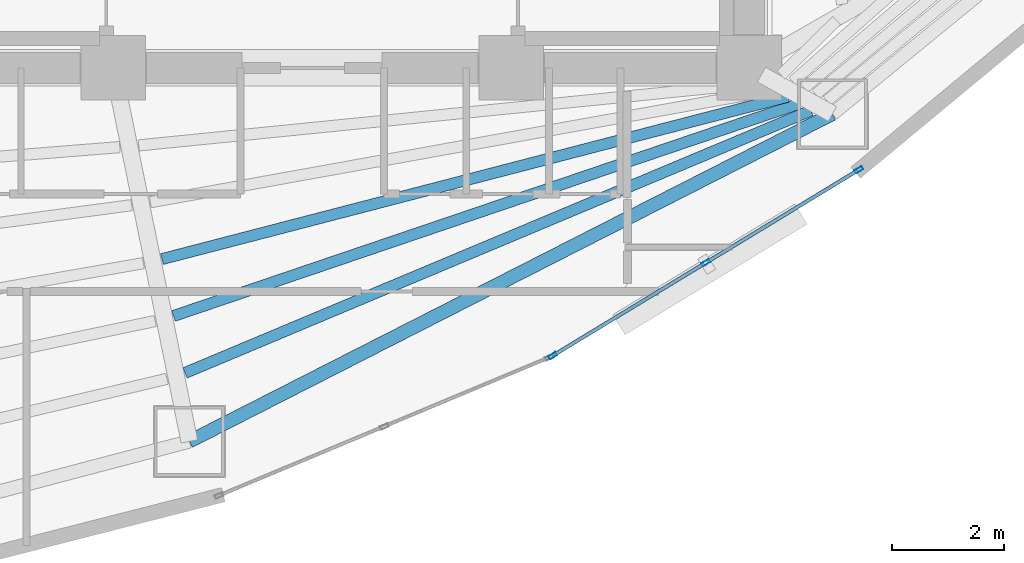
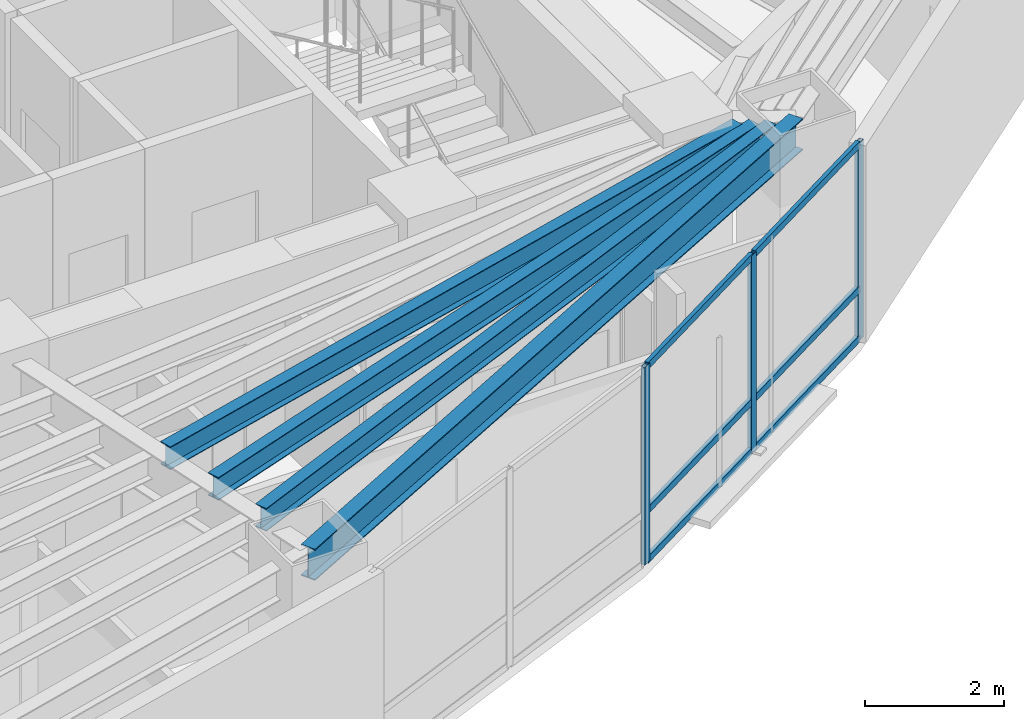
# One storey, part 5 of 18: 9 members, 4 beams, 1 element without a shape of its own.
"""IFC4 building model written with IfcOpenShell, lengths in metres."""

from ifc_helpers import new_model, si_unit, direction, frame, origin, origin_2d, place, context, subcontext, project, spatial, hollow_rectangle, i_section, extrude, material, layer, layer_set, material_profile, profile_set, type_object, element, aggregate, save


model = new_model("IFC4")

# Units and contexts
model_context = context("Model", 3, precision=1e-05, world=origin(), true_north=direction((0.0, 1.0)))
body_context = subcontext(model_context, "Body", "Model", "MODEL_VIEW")
ifc_project = project(units=[si_unit("LENGTHUNIT", "METRE"), si_unit("AREAUNIT", "SQUARE_METRE"), si_unit("VOLUMEUNIT", "CUBIC_METRE"), si_unit("PLANEANGLEUNIT", "RADIAN"), si_unit("MASSUNIT", "GRAM", prefix="KILO")], contexts=[model_context])

# Site, building, storey
site_placement = place(None, origin())
site = spatial("IfcSite", under=ifc_project, at=site_placement, CompositionType="ELEMENT")
building_placement = place(site_placement, origin())
building = spatial("IfcBuilding", under=site, at=building_placement, Name="Menara Vayukalpa", CompositionType="ELEMENT")
storey_placement = place(building_placement, frame((0.0, 0.0, 126.300048828125)))
storey = spatial("IfcBuildingStorey", under=building, at=storey_placement, Name="L31", CompositionType="ELEMENT", Elevation=126.300048828125)

# Beams
ifc_material_1 = material(Name="Steel S355", Category="steel")
ifc_material_profile_1 = material_profile(ifc_material_1, i_section(OverallWidth=0.199951171875, OverallDepth=0.39990234375, WebThickness=0.008056640625, FlangeThickness=0.012939453125, at=origin_2d()), Name="WF 400x200x8x13")
ifc_profile_set_1 = profile_set([ifc_material_profile_1], Name="Steel S355")
beam_type_1 = type_object("IfcBeamType", Name="BM-SJ2", PredefinedType="JOIST", material=ifc_profile_set_1)
beam_1_placement = place(storey_placement, frame((22.918701171875, 13.78662109375, 3.27001953125), z_axis=(0.967921665574, 0.251252162802, 0.0), x_axis=(-0.251252162802, 0.967921665574, 0.0)))
element("IfcBeam", 1, at=beam_1_placement, inside=storey, type_object=beam_type_1, Name="L31 Secondary Floor Joist SJ08-3", PredefinedType="JOIST", context=body_context, shape_type="SweptSolid", body=[
    extrude(i_section(OverallWidth=0.199951171875, OverallDepth=0.39990234375, WebThickness=0.008056640625, FlangeThickness=0.012939453125, at=origin_2d()), origin(), (0.0, 0.0, 1.0), 11.539794921875),
])
beam_2_placement = place(storey_placement, frame((23.12451171875, 12.77099609375, 3.27001953125), z_axis=(0.94694934653, 0.321382848183, 0.0), x_axis=(-0.321382848183, 0.94694934653, 0.0)))
element("IfcBeam", 2, at=beam_2_placement, inside=storey, type_object=beam_type_1, Name="L31 Secondary Floor Joist SJ08-4", PredefinedType="JOIST", context=body_context, shape_type="SweptSolid", body=[
    extrude(i_section(OverallWidth=0.199951171875, OverallDepth=0.39990234375, WebThickness=0.008056640625, FlangeThickness=0.012939453125, at=origin_2d()), origin(), (0.0, 0.0, 1.0), 11.7958984375),
])
beam_3_placement = place(storey_placement, frame((23.32958984375, 11.75439453125, 3.27001953125), z_axis=(0.922216637658, 0.386673600375, 0.0), x_axis=(-0.386673600375, 0.922216637658, 0.0)))
element("IfcBeam", 3, at=beam_3_placement, inside=storey, type_object=beam_type_1, Name="L31 Secondary Floor Joist SJ08-5", PredefinedType="JOIST", context=body_context, shape_type="SweptSolid", body=[
    extrude(i_section(OverallWidth=0.199951171875, OverallDepth=0.39990234375, WebThickness=0.008056640625, FlangeThickness=0.012939453125, at=origin_2d()), origin(), (0.0, 0.0, 1.0), 12.114501953125),
])
ifc_material_2 = material(Name="Steel S355", Category="steel")
ifc_material_profile_2 = material_profile(ifc_material_2, i_section(OverallWidth=0.239990234375, OverallDepth=0.550048828125, WebThickness=0.010986328125, FlangeThickness=0.01904296875, at=origin_2d()), Name="WF 550x240x11x19")
ifc_profile_set_2 = profile_set([ifc_material_profile_2], Name="Steel S355")
beam_type_2 = type_object("IfcBeamType", Name="BM-SP2", PredefinedType="SPANDREL", material=ifc_profile_set_2)
beam_4_placement = place(storey_placement, frame((23.408203125, 10.53271484375, 3.195068359375), z_axis=(0.891097345221, 0.453812209333, 0.0), x_axis=(-0.453812209333, 0.891097345221, 0.0)))
element("IfcBeam", 4, at=beam_4_placement, inside=storey, type_object=beam_type_2, Name="L31 Perimeter Spandrel Beam SP08", PredefinedType="SPANDREL", context=body_context, shape_type="SweptSolid", body=[
    extrude(i_section(OverallWidth=0.239990234375, OverallDepth=0.550048828125, WebThickness=0.010986328125, FlangeThickness=0.01904296875, at=origin_2d()), origin(), (0.0, 0.0, 1.0), 12.88134765625),
])

# Curtain wall, members
ifc_material_3 = material(Name="Anodised Terracotta Aluminium Alloy 6063-T6", Category="masonry")
ifc_layer = layer(ifc_material_3, 0.14990234375)
ifc_layer_set = layer_set([ifc_layer], Name="Anodised Terracotta Aluminium Alloy 6063-T6")
curtain_wall_type = type_object("IfcCurtainWallType", Name="CW-CW3", PredefinedType="USERDEFINED", material=ifc_layer_set)
curtain_wall_placement = place(storey_placement, origin())
curtain_wall = element("IfcCurtainWall", 5, at=curtain_wall_placement, inside=storey, type_object=curtain_wall_type, Name="L31 Mid Rise Terracotta Ribbon Curtain Wall CW3 17", ObjectType="UNITISED", PredefinedType="USERDEFINED")
ifc_material_4 = material(Name="Anodised Terracotta Aluminium Alloy 6063-T6", Category="masonry")
ifc_material_profile_3 = material_profile(ifc_material_4, hollow_rectangle(XDim=0.06494140625, YDim=0.14990234375, WallThickness=0.00341796875, at=origin_2d()), Name="ALU 65x150x3.5")
ifc_profile_set_3 = profile_set([ifc_material_profile_3], Name="Anodised Terracotta Aluminium Alloy 6063-T6")
member_type_1 = type_object("IfcMemberType", Name="CWM-CW3", PredefinedType="MULLION", material=ifc_profile_set_3)
member_1_placement = place(storey_placement, frame((29.8935546875, 12.061767578125, 0.0), z_axis=(0.0, 0.0, 1.0), x_axis=(-0.519182959112, 0.854663123674, 0.0)))
member_1 = element("IfcMember", 6, at=member_1_placement, type_object=member_type_1, Name="CW3 mullion 1", PredefinedType="MULLION", context=body_context, shape_type="SweptSolid", body=[
    extrude(hollow_rectangle(XDim=0.06494140625, YDim=0.14990234375, WallThickness=0.00341796875, at=origin_2d()), origin(), (0.0, 0.0, 1.0), 3.469970703125),
])
member_2_placement = place(storey_placement, frame((32.6259765625, 13.721435546875, 0.0), z_axis=(0.0, 0.0, 1.0), x_axis=(-0.519182959112, 0.854663123674, 0.0)))
member_2 = element("IfcMember", 7, at=member_2_placement, type_object=member_type_1, Name="CW3 mullion 2", PredefinedType="MULLION", context=body_context, shape_type="SweptSolid", body=[
    extrude(hollow_rectangle(XDim=0.06494140625, YDim=0.14990234375, WallThickness=0.00341796875, at=origin_2d()), origin(), (0.0, 0.0, 1.0), 3.469970703125),
])
member_3_placement = place(storey_placement, frame((35.358154296875, 15.38134765625, 0.0), z_axis=(0.0, 0.0, 1.0), x_axis=(-0.519182959112, 0.854663123674, 0.0)))
member_3 = element("IfcMember", 8, at=member_3_placement, type_object=member_type_1, Name="CW3 mullion 3", PredefinedType="MULLION", context=body_context, shape_type="SweptSolid", body=[
    extrude(hollow_rectangle(XDim=0.06494140625, YDim=0.14990234375, WallThickness=0.00341796875, at=origin_2d()), origin(), (0.0, 0.0, 1.0), 3.469970703125),
])
ifc_material_5 = material(Name="Anodised Terracotta Aluminium Alloy 6063-T6", Category="masonry")
ifc_material_profile_4 = material_profile(ifc_material_5, hollow_rectangle(XDim=0.06494140625, YDim=0.1201171875, WallThickness=0.00341796875, at=origin_2d()), Name="ALU 65x120x3.5")
ifc_profile_set_4 = profile_set([ifc_material_profile_4], Name="Anodised Terracotta Aluminium Alloy 6063-T6")
member_type_2 = type_object("IfcMemberType", Name="CWT-CW3", PredefinedType="USERDEFINED", material=ifc_profile_set_4)
member_4_placement = place(storey_placement, frame((29.92138671875, 12.07861328125, 0.032470703125), z_axis=(0.854673871166, 0.519165266506, 0.0), x_axis=(-0.519165266506, 0.854673871166, 0.0)))
member_4 = element("IfcMember", 9, at=member_4_placement, type_object=member_type_2, Name="CW3 transom 1.1", ObjectType="TRANSOM", PredefinedType="USERDEFINED", context=body_context, shape_type="SweptSolid", body=[
    extrude(hollow_rectangle(XDim=0.06494140625, YDim=0.1201171875, WallThickness=0.00341796875, at=origin_2d()), origin(), (0.0, 0.0, 1.0), 3.1318359375),
])
member_5_placement = place(storey_placement, frame((29.92138671875, 12.07861328125, 0.89990234375), z_axis=(0.854673871166, 0.519165266506, 0.0), x_axis=(-0.519165266506, 0.854673871166, 0.0)))
member_5 = element("IfcMember", 10, at=member_5_placement, type_object=member_type_2, Name="CW3 transom 1.2", ObjectType="TRANSOM", PredefinedType="USERDEFINED", context=body_context, shape_type="SweptSolid", body=[
    extrude(hollow_rectangle(XDim=0.06494140625, YDim=0.1201171875, WallThickness=0.00341796875, at=origin_2d()), origin(), (0.0, 0.0, 1.0), 3.1318359375),
])
member_6_placement = place(storey_placement, frame((29.92138671875, 12.07861328125, 3.4375), z_axis=(0.854673871166, 0.519165266506, 0.0), x_axis=(-0.519165266506, 0.854673871166, 0.0)))
member_6 = element("IfcMember", 11, at=member_6_placement, type_object=member_type_2, Name="CW3 transom 1.3", ObjectType="TRANSOM", PredefinedType="USERDEFINED", context=body_context, shape_type="SweptSolid", body=[
    extrude(hollow_rectangle(XDim=0.06494140625, YDim=0.1201171875, WallThickness=0.00341796875, at=origin_2d()), origin(), (0.0, 0.0, 1.0), 3.1318359375),
])
member_7_placement = place(storey_placement, frame((32.65380859375, 13.73828125, 0.032470703125), z_axis=(0.854673871166, 0.519165266506, 0.0), x_axis=(-0.519165266506, 0.854673871166, 0.0)))
member_7 = element("IfcMember", 12, at=member_7_placement, type_object=member_type_2, Name="CW3 transom 2.1", ObjectType="TRANSOM", PredefinedType="USERDEFINED", context=body_context, shape_type="SweptSolid", body=[
    extrude(hollow_rectangle(XDim=0.06494140625, YDim=0.1201171875, WallThickness=0.00341796875, at=origin_2d()), origin(), (0.0, 0.0, 1.0), 3.1318359375),
])
member_8_placement = place(storey_placement, frame((32.65380859375, 13.73828125, 0.89990234375), z_axis=(0.854673871166, 0.519165266506, 0.0), x_axis=(-0.519165266506, 0.854673871166, 0.0)))
member_8 = element("IfcMember", 13, at=member_8_placement, type_object=member_type_2, Name="CW3 transom 2.2", ObjectType="TRANSOM", PredefinedType="USERDEFINED", context=body_context, shape_type="SweptSolid", body=[
    extrude(hollow_rectangle(XDim=0.06494140625, YDim=0.1201171875, WallThickness=0.00341796875, at=origin_2d()), origin(), (0.0, 0.0, 1.0), 3.1318359375),
])
member_9_placement = place(storey_placement, frame((32.65380859375, 13.73828125, 3.4375), z_axis=(0.854673871166, 0.519165266506, 0.0), x_axis=(-0.519165266506, 0.854673871166, 0.0)))
member_9 = element("IfcMember", 14, at=member_9_placement, type_object=member_type_2, Name="CW3 transom 2.3", ObjectType="TRANSOM", PredefinedType="USERDEFINED", context=body_context, shape_type="SweptSolid", body=[
    extrude(hollow_rectangle(XDim=0.06494140625, YDim=0.1201171875, WallThickness=0.00341796875, at=origin_2d()), origin(), (0.0, 0.0, 1.0), 3.1318359375),
])
aggregate(curtain_wall, [member_1, member_2, member_3, member_4, member_5, member_6, member_7, member_8, member_9])

save(model, "model.ifc")
